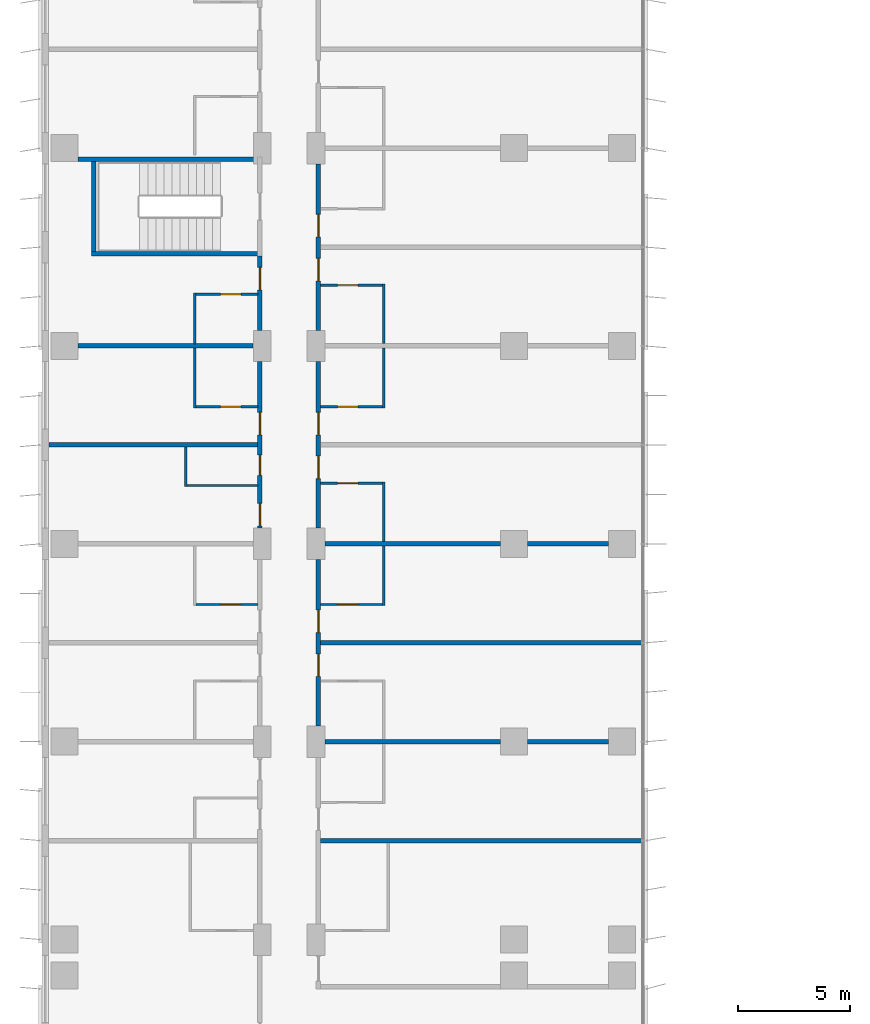
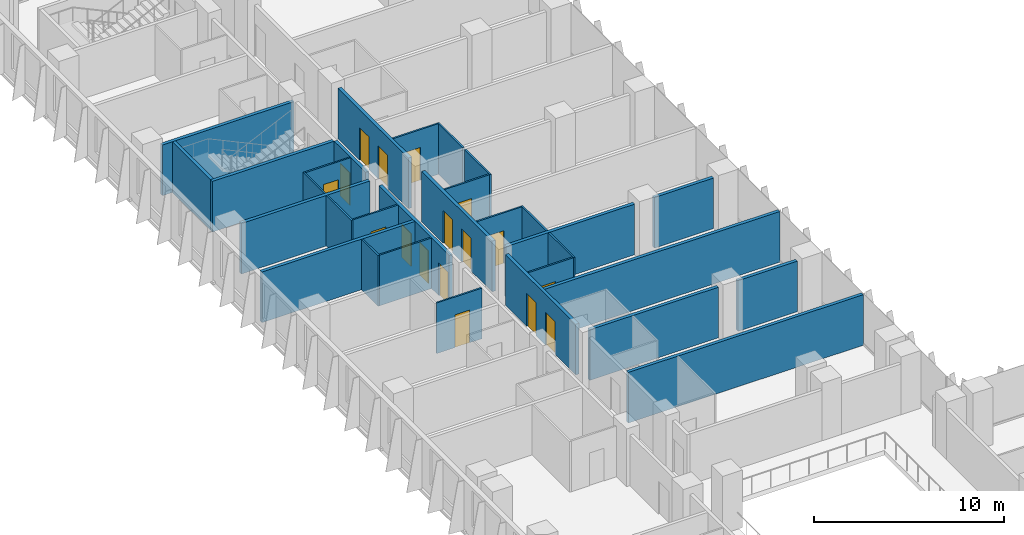
# One storey, part 16 of 22: 31 walls, 17 doors, 17 openings.
"""IFC4 building model written with IfcOpenShell, lengths in metres."""

from ifc_helpers import new_model, si_unit, direction, frame, frame_2d, origin, place, context, subcontext, project, spatial, rectangle, extrude, material, layer, layer_set, type_object, element, fill, save


model = new_model("IFC4")

# Units and contexts
model_context = context("Model", 3, precision=1e-05, world=origin(), true_north=direction((0.0, 1.0)))
body_context = subcontext(model_context, "Body", "Model", "MODEL_VIEW")
ifc_project = project(units=[si_unit("LENGTHUNIT", "METRE"), si_unit("AREAUNIT", "SQUARE_METRE"), si_unit("VOLUMEUNIT", "CUBIC_METRE"), si_unit("PLANEANGLEUNIT", "RADIAN"), si_unit("MASSUNIT", "GRAM", prefix="KILO")], contexts=[model_context])

# Site, building, storey
site_placement = place(None, origin())
site = spatial("IfcSite", under=ifc_project, at=site_placement, CompositionType="ELEMENT")
building_placement = place(site_placement, origin())
building = spatial("IfcBuilding", under=site, at=building_placement, Name="Kemantara Hotel Tower", CompositionType="ELEMENT")
storey_placement = place(building_placement, frame((0.0, 0.0, 129.60009765625)))
storey = spatial("IfcBuildingStorey", under=building, at=storey_placement, Name="L31", CompositionType="ELEMENT", Elevation=129.60009765625)

# Wall, openings, doors
ifc_material_1 = material(Name="Gypsum board partition, steel studs and mineral wool, 200 mm", Category="steel")
ifc_layer_1 = layer(ifc_material_1, 0.199951171875)
ifc_layer_set_1 = layer_set([ifc_layer_1], Name="Gypsum board partition, steel studs and mineral wool, 200 mm")
wall_type_1 = type_object("IfcWallType", Name="CORRIDOR WALL 200", PredefinedType="PARTITIONING", material=ifc_layer_set_1)
wall_1_placement = place(storey_placement, frame((9.699951171875, 45.7001953125, 0.0), z_axis=(0.0, 0.0, 1.0), x_axis=(0.0, 1.0, 0.0)))
wall_1 = element("IfcWall", 1, at=wall_1_placement, inside=storey, type_object=wall_type_1, Name="CORRIDOR WALL 200 020", PredefinedType="PARTITIONING", context=body_context, shape_type="SweptSolid", body=[
    extrude(rectangle(XDim=7.399658203125, YDim=0.199951171875, at=frame_2d((3.69970703125, 0.0))), origin(), (0.0, 0.0, 1.0), 3.25),
])
opening_1_placement = place(wall_1_placement, frame((0.099853515625, 0.0, 0.0)))
opening_1 = element("IfcOpeningElement", 2, at=opening_1_placement, cuts=wall_1, Name="Opening F14-031", PredefinedType="OPENING", context=body_context, shape_type="SweptSolid", body=[
    extrude(rectangle(XDim=1.0, YDim=2.10009765625, at=frame_2d((0.5, 1.050048828125))), frame((0.0, 0.10986328125, 0.0), z_axis=(0.0, -1.0, 0.0), x_axis=(1.0, 0.0, 0.0)), (0.0, 0.0, 1.0), 0.219970703125),
])
opening_2_placement = place(wall_1_placement, frame((2.349853515625, 0.0, 0.0)))
opening_2 = element("IfcOpeningElement", 3, at=opening_2_placement, cuts=wall_1, Name="Opening F14-032", PredefinedType="OPENING", context=body_context, shape_type="SweptSolid", body=[
    extrude(rectangle(XDim=0.89990234375, YDim=2.10009765625, at=frame_2d((0.449951171875, 1.050048828125))), frame((0.0, 0.10986328125, 0.0), z_axis=(0.0, -1.0, 0.0), x_axis=(1.0, 0.0, 0.0)), (0.0, 0.0, 1.0), 0.219970703125),
])
opening_3_placement = place(wall_1_placement, frame((4.14990234375, 0.0, 0.0)))
opening_3 = element("IfcOpeningElement", 4, at=opening_3_placement, cuts=wall_1, Name="Opening F14-033", PredefinedType="OPENING", context=body_context, shape_type="SweptSolid", body=[
    extrude(rectangle(XDim=1.0, YDim=2.10009765625, at=frame_2d((0.5, 1.050048828125))), frame((0.0, 0.10986328125, 0.0), z_axis=(0.0, -1.0, 0.0), x_axis=(1.0, 0.0, 0.0)), (0.0, 0.0, 1.0), 0.219970703125),
])
ifc_material_2 = material(Name="Hardwood veneer door leaf with steel frame", Category="steel")
door_type_1 = type_object("IfcDoorType", Name="AMENITY ROOM DOOR 1000 X 2100 FD30S", OperationType="NOTDEFINED", PredefinedType="DOOR", material=ifc_material_2)
door_1_placement = place(opening_1_placement, origin())
door_1 = element("IfcDoor", 5, at=door_1_placement, inside=storey, type_object=door_type_1, Name="AMENITY ROOM DOOR F14-031", OperationType="SINGLE_SWING_LEFT", OverallHeight=2.10009765625, OverallWidth=1.0, PredefinedType="DOOR", context=body_context, shape_type="SweptSolid", body=[
    extrude(rectangle(XDim=1.0, YDim=2.10009765625, at=frame_2d((0.5, 1.050048828125))), frame((0.0, 0.02490234375, 0.0), z_axis=(0.0, -1.0, 0.0), x_axis=(1.0, 0.0, 0.0)), (0.0, 0.0, 1.0), 0.050048828125),
])
fill(opening_1, door_1)
door_type_2 = type_object("IfcDoorType", Name="GUEST ROOM DOOR 1000 X 2100 FD30S", OperationType="NOTDEFINED", PredefinedType="DOOR", material=ifc_material_2)
door_2_placement = place(opening_3_placement, origin())
door_2 = element("IfcDoor", 6, at=door_2_placement, inside=storey, type_object=door_type_2, Name="GUEST ROOM DOOR F14-033", OperationType="SINGLE_SWING_LEFT", OverallHeight=2.10009765625, OverallWidth=1.0, PredefinedType="DOOR", context=body_context, shape_type="SweptSolid", body=[
    extrude(rectangle(XDim=1.0, YDim=2.10009765625, at=frame_2d((0.5, 1.050048828125))), frame((0.0, 0.02490234375, 0.0), z_axis=(0.0, -1.0, 0.0), x_axis=(1.0, 0.0, 0.0)), (0.0, 0.0, 1.0), 0.050048828125),
])
fill(opening_3, door_2)
door_type_3 = type_object("IfcDoorType", Name="GUEST ROOM DOOR 900 X 2100 FD30S", OperationType="NOTDEFINED", PredefinedType="DOOR", material=ifc_material_2)
door_3_placement = place(opening_2_placement, origin())
door_3 = element("IfcDoor", 7, at=door_3_placement, inside=storey, type_object=door_type_3, Name="GUEST ROOM DOOR F14-032", OperationType="SINGLE_SWING_RIGHT", OverallHeight=2.10009765625, OverallWidth=0.89990234375, PredefinedType="DOOR", context=body_context, shape_type="SweptSolid", body=[
    extrude(rectangle(XDim=0.89990234375, YDim=2.10009765625, at=frame_2d((0.449951171875, 1.050048828125))), frame((0.0, 0.02490234375, 0.0), z_axis=(0.0, -1.0, 0.0), x_axis=(1.0, 0.0, 0.0)), (0.0, 0.0, 1.0), 0.050048828125),
])
fill(opening_2, door_3)

# Wall, opening, door
wall_2_placement = place(storey_placement, frame((9.699951171875, 54.5, 0.0), z_axis=(0.0, 0.0, 1.0), x_axis=(0.0, 1.0, 0.0)))
wall_2 = element("IfcWall", 8, at=wall_2_placement, inside=storey, type_object=wall_type_1, Name="CORRIDOR WALL 200 021", PredefinedType="PARTITIONING", context=body_context, shape_type="SweptSolid", body=[
    extrude(rectangle(XDim=3.300048828125, YDim=0.199951171875, at=frame_2d((1.64990234375, 0.0))), origin(), (0.0, 0.0, 1.0), 3.25),
])
opening_4_placement = place(wall_2_placement, frame((1.7998046875, 0.0, 0.0)))
opening_4 = element("IfcOpeningElement", 9, at=opening_4_placement, cuts=wall_2, Name="Opening F14-035", PredefinedType="OPENING", context=body_context, shape_type="SweptSolid", body=[
    extrude(rectangle(XDim=1.0, YDim=2.10009765625, at=frame_2d((0.5, 1.050048828125))), frame((0.0, 0.10986328125, 0.0), z_axis=(0.0, -1.0, 0.0), x_axis=(1.0, 0.0, 0.0)), (0.0, 0.0, 1.0), 0.219970703125),
])
door_4_placement = place(opening_4_placement, origin())
door_4 = element("IfcDoor", 10, at=door_4_placement, inside=storey, type_object=door_type_2, Name="GUEST ROOM DOOR F14-035", OperationType="SINGLE_SWING_RIGHT", OverallHeight=2.10009765625, OverallWidth=1.0, PredefinedType="DOOR", context=body_context, shape_type="SweptSolid", body=[
    extrude(rectangle(XDim=1.0, YDim=2.10009765625, at=frame_2d((0.5, 1.050048828125))), frame((0.0, 0.02490234375, 0.0), z_axis=(0.0, -1.0, 0.0), x_axis=(1.0, 0.0, 0.0)), (0.0, 0.0, 1.0), 0.050048828125),
])
fill(opening_4, door_4)

# Wall, openings, doors
wall_3_placement = place(storey_placement, frame((12.300048828125, 44.2998046875, 0.0), z_axis=(0.0, 0.0, 1.0), x_axis=(0.0, -1.0, 0.0)))
wall_3 = element("IfcWall", 11, at=wall_3_placement, inside=storey, type_object=wall_type_1, Name="CORRIDOR WALL 200 045", PredefinedType="PARTITIONING", context=body_context, shape_type="SweptSolid", body=[
    extrude(rectangle(XDim=7.399658203125, YDim=0.199951171875, at=frame_2d((3.69970703125, 0.0))), origin(), (0.0, 0.0, 1.0), 3.25),
])
opening_5_placement = place(wall_3_placement, frame((4.199951171875, 0.0, 0.0)))
opening_5 = element("IfcOpeningElement", 12, at=opening_5_placement, cuts=wall_3, Name="Opening F14-047", PredefinedType="OPENING", context=body_context, shape_type="SweptSolid", body=[
    extrude(rectangle(XDim=1.0, YDim=2.10009765625, at=frame_2d((0.5, 1.050048828125))), frame((0.0, 0.10986328125, 0.0), z_axis=(0.0, -1.0, 0.0), x_axis=(1.0, 0.0, 0.0)), (0.0, 0.0, 1.0), 0.219970703125),
])
opening_6_placement = place(wall_3_placement, frame((2.25, 0.0, 0.0)))
opening_6 = element("IfcOpeningElement", 13, at=opening_6_placement, cuts=wall_3, Name="Opening F14-049", PredefinedType="OPENING", context=body_context, shape_type="SweptSolid", body=[
    extrude(rectangle(XDim=1.0, YDim=2.10009765625, at=frame_2d((0.5, 1.050048828125))), frame((0.0, 0.10986328125, 0.0), z_axis=(0.0, -1.0, 0.0), x_axis=(1.0, 0.0, 0.0)), (0.0, 0.0, 1.0), 0.219970703125),
])
door_5_placement = place(opening_5_placement, origin())
door_5 = element("IfcDoor", 14, at=door_5_placement, inside=storey, type_object=door_type_2, Name="GUEST ROOM DOOR F14-047", OperationType="SINGLE_SWING_LEFT", OverallHeight=2.10009765625, OverallWidth=1.0, PredefinedType="DOOR", context=body_context, shape_type="SweptSolid", body=[
    extrude(rectangle(XDim=1.0, YDim=2.10009765625, at=frame_2d((0.5, 1.050048828125))), frame((0.0, 0.02490234375, 0.0), z_axis=(0.0, -1.0, 0.0), x_axis=(1.0, 0.0, 0.0)), (0.0, 0.0, 1.0), 0.050048828125),
])
fill(opening_5, door_5)
door_6_placement = place(opening_6_placement, origin())
door_6 = element("IfcDoor", 15, at=door_6_placement, inside=storey, type_object=door_type_2, Name="GUEST ROOM DOOR F14-049", OperationType="SINGLE_SWING_RIGHT", OverallHeight=2.10009765625, OverallWidth=1.0, PredefinedType="DOOR", context=body_context, shape_type="SweptSolid", body=[
    extrude(rectangle(XDim=1.0, YDim=2.10009765625, at=frame_2d((0.5, 1.050048828125))), frame((0.0, 0.02490234375, 0.0), z_axis=(0.0, -1.0, 0.0), x_axis=(1.0, 0.0, 0.0)), (0.0, 0.0, 1.0), 0.050048828125),
])
fill(opening_6, door_6)

wall_4_placement = place(storey_placement, frame((12.300048828125, 53.099853515625, 0.0), z_axis=(0.0, 0.0, 1.0), x_axis=(0.0, -1.0, 0.0)))
wall_4 = element("IfcWall", 16, at=wall_4_placement, inside=storey, type_object=wall_type_1, Name="CORRIDOR WALL 200 046", PredefinedType="PARTITIONING", context=body_context, shape_type="SweptSolid", body=[
    extrude(rectangle(XDim=7.399658203125, YDim=0.199951171875, at=frame_2d((3.69970703125, 0.0))), origin(), (0.0, 0.0, 1.0), 3.25),
])
opening_7_placement = place(wall_4_placement, frame((4.199951171875, 0.0, 0.0)))
opening_7 = element("IfcOpeningElement", 17, at=opening_7_placement, cuts=wall_4, Name="Opening F14-051", PredefinedType="OPENING", context=body_context, shape_type="SweptSolid", body=[
    extrude(rectangle(XDim=1.0, YDim=2.10009765625, at=frame_2d((0.5, 1.050048828125))), frame((0.0, 0.10986328125, 0.0), z_axis=(0.0, -1.0, 0.0), x_axis=(1.0, 0.0, 0.0)), (0.0, 0.0, 1.0), 0.219970703125),
])
opening_8_placement = place(wall_4_placement, frame((2.25, 0.0, 0.0)))
opening_8 = element("IfcOpeningElement", 18, at=opening_8_placement, cuts=wall_4, Name="Opening F14-053", PredefinedType="OPENING", context=body_context, shape_type="SweptSolid", body=[
    extrude(rectangle(XDim=1.0, YDim=2.10009765625, at=frame_2d((0.5, 1.050048828125))), frame((0.0, 0.10986328125, 0.0), z_axis=(0.0, -1.0, 0.0), x_axis=(1.0, 0.0, 0.0)), (0.0, 0.0, 1.0), 0.219970703125),
])
door_7_placement = place(opening_7_placement, origin())
door_7 = element("IfcDoor", 19, at=door_7_placement, inside=storey, type_object=door_type_2, Name="GUEST ROOM DOOR F14-051", OperationType="SINGLE_SWING_LEFT", OverallHeight=2.10009765625, OverallWidth=1.0, PredefinedType="DOOR", context=body_context, shape_type="SweptSolid", body=[
    extrude(rectangle(XDim=1.0, YDim=2.10009765625, at=frame_2d((0.5, 1.050048828125))), frame((0.0, 0.02490234375, 0.0), z_axis=(0.0, -1.0, 0.0), x_axis=(1.0, 0.0, 0.0)), (0.0, 0.0, 1.0), 0.050048828125),
])
fill(opening_7, door_7)
door_8_placement = place(opening_8_placement, origin())
door_8 = element("IfcDoor", 20, at=door_8_placement, inside=storey, type_object=door_type_2, Name="GUEST ROOM DOOR F14-053", OperationType="SINGLE_SWING_RIGHT", OverallHeight=2.10009765625, OverallWidth=1.0, PredefinedType="DOOR", context=body_context, shape_type="SweptSolid", body=[
    extrude(rectangle(XDim=1.0, YDim=2.10009765625, at=frame_2d((0.5, 1.050048828125))), frame((0.0, 0.02490234375, 0.0), z_axis=(0.0, -1.0, 0.0), x_axis=(1.0, 0.0, 0.0)), (0.0, 0.0, 1.0), 0.050048828125),
])
fill(opening_8, door_8)

wall_5_placement = place(storey_placement, frame((12.300048828125, 61.89990234375, 0.0), z_axis=(0.0, 0.0, 1.0), x_axis=(0.0, -1.0, 0.0)))
wall_5 = element("IfcWall", 21, at=wall_5_placement, inside=storey, type_object=wall_type_1, Name="CORRIDOR WALL 200 047", PredefinedType="PARTITIONING", context=body_context, shape_type="SweptSolid", body=[
    extrude(rectangle(XDim=7.39990234375, YDim=0.199951171875, at=frame_2d((3.699951171875, 0.0))), origin(), (0.0, 0.0, 1.0), 3.25),
])
opening_9_placement = place(wall_5_placement, frame((4.199951171875, 0.0, 0.0)))
opening_9 = element("IfcOpeningElement", 22, at=opening_9_placement, cuts=wall_5, Name="Opening F14-055", PredefinedType="OPENING", context=body_context, shape_type="SweptSolid", body=[
    extrude(rectangle(XDim=1.0, YDim=2.10009765625, at=frame_2d((0.5, 1.050048828125))), frame((0.0, 0.10986328125, 0.0), z_axis=(0.0, -1.0, 0.0), x_axis=(1.0, 0.0, 0.0)), (0.0, 0.0, 1.0), 0.219970703125),
])
opening_10_placement = place(wall_5_placement, frame((2.25, 0.0, 0.0)))
opening_10 = element("IfcOpeningElement", 23, at=opening_10_placement, cuts=wall_5, Name="Opening F14-057", PredefinedType="OPENING", context=body_context, shape_type="SweptSolid", body=[
    extrude(rectangle(XDim=1.0, YDim=2.10009765625, at=frame_2d((0.5, 1.050048828125))), frame((0.0, 0.10986328125, 0.0), z_axis=(0.0, -1.0, 0.0), x_axis=(1.0, 0.0, 0.0)), (0.0, 0.0, 1.0), 0.219970703125),
])
door_9_placement = place(opening_9_placement, origin())
door_9 = element("IfcDoor", 24, at=door_9_placement, inside=storey, type_object=door_type_2, Name="GUEST ROOM DOOR F14-055", OperationType="SINGLE_SWING_LEFT", OverallHeight=2.10009765625, OverallWidth=1.0, PredefinedType="DOOR", context=body_context, shape_type="SweptSolid", body=[
    extrude(rectangle(XDim=1.0, YDim=2.10009765625, at=frame_2d((0.5, 1.050048828125))), frame((0.0, 0.02490234375, 0.0), z_axis=(0.0, -1.0, 0.0), x_axis=(1.0, 0.0, 0.0)), (0.0, 0.0, 1.0), 0.050048828125),
])
fill(opening_9, door_9)
door_10_placement = place(opening_10_placement, origin())
door_10 = element("IfcDoor", 25, at=door_10_placement, inside=storey, type_object=door_type_2, Name="GUEST ROOM DOOR F14-057", OperationType="SINGLE_SWING_RIGHT", OverallHeight=2.10009765625, OverallWidth=1.0, PredefinedType="DOOR", context=body_context, shape_type="SweptSolid", body=[
    extrude(rectangle(XDim=1.0, YDim=2.10009765625, at=frame_2d((0.5, 1.050048828125))), frame((0.0, 0.02490234375, 0.0), z_axis=(0.0, -1.0, 0.0), x_axis=(1.0, 0.0, 0.0)), (0.0, 0.0, 1.0), 0.050048828125),
])
fill(opening_10, door_10)

# Walls
ifc_material_3 = material(Name="Concrete fc 40 MPa", Category="concrete")
ifc_layer_2 = layer(ifc_material_3, 0.199951171875)
ifc_layer_set_2 = layer_set([ifc_layer_2], Name="Concrete fc 40 MPa")
wall_type_2 = type_object("IfcWallType", Name="Concrete stair wall 200 mm", PredefinedType="SHEAR", material=ifc_layer_set_2)
wall_6_placement = place(storey_placement, frame((1.60009765625, 62.10009765625, 0.0), z_axis=(0.0, 0.0, 1.0), x_axis=(1.0, 0.0, 0.0)))
element("IfcWall", 26, at=wall_6_placement, inside=storey, type_object=wall_type_2, Name="Stair ST4 enclosure wall N", PredefinedType="SHEAR", context=body_context, shape_type="SweptSolid", body=[
    extrude(rectangle(XDim=8.0, YDim=0.199951171875, at=frame_2d((4.0, 0.0))), origin(), (0.0, 0.0, 1.0), 3.25),
])
wall_7_placement = place(storey_placement, frame((2.199951171875, 57.89990234375, 0.0), z_axis=(0.0, 0.0, 1.0), x_axis=(1.0, 0.0, 0.0)))
element("IfcWall", 27, at=wall_7_placement, inside=storey, type_object=wall_type_2, Name="Stair ST4 enclosure wall S", PredefinedType="SHEAR", context=body_context, shape_type="SweptSolid", body=[
    extrude(rectangle(XDim=7.400146484375, YDim=0.199951171875, at=frame_2d((3.7001953125, 0.0))), origin(), (0.0, 0.0, 1.0), 3.25),
])
wall_8_placement = place(storey_placement, frame((2.300048828125, 58.0, 0.0), z_axis=(0.0, 0.0, 1.0), x_axis=(0.0, 1.0, 0.0)))
element("IfcWall", 28, at=wall_8_placement, inside=storey, type_object=wall_type_2, Name="Stair ST4 enclosure wall W", PredefinedType="SHEAR", context=body_context, shape_type="SweptSolid", body=[
    extrude(rectangle(XDim=4.0, YDim=0.199951171875, at=frame_2d((2.0, 0.0))), origin(), (0.0, 0.0, 1.0), 3.25),
])
ifc_layer_3 = layer(ifc_material_1, 0.199951171875)
ifc_layer_set_3 = layer_set([ifc_layer_3], Name="Gypsum board partition, steel studs and mineral wool, 200 mm")
wall_type_3 = type_object("IfcWallType", Name="GUEST ROOM PARTY WALL 200", PredefinedType="PARTITIONING", material=ifc_layer_set_3)
wall_9_placement = place(storey_placement, frame((12.39990234375, 31.800048828125, 0.0), z_axis=(0.0, 0.0, 1.0), x_axis=(1.0, 0.0, 0.0)))
element("IfcWall", 29, at=wall_9_placement, inside=storey, type_object=wall_type_3, Name="GUEST ROOM PARTY WALL 200 027", PredefinedType="PARTITIONING", context=body_context, shape_type="SweptSolid", body=[
    extrude(rectangle(XDim=14.27001953125, YDim=0.199951171875, at=frame_2d((7.135009765625, 0.0))), origin(), (0.0, 0.0, 1.0), 3.25),
])
wall_10_placement = place(storey_placement, frame((12.60009765625, 36.199951171875, 0.0), z_axis=(0.0, 0.0, 1.0), x_axis=(1.0, 0.0, 0.0)))
element("IfcWall", 30, at=wall_10_placement, inside=storey, type_object=wall_type_3, Name="GUEST ROOM PARTY WALL 200 029", PredefinedType="PARTITIONING", context=body_context, shape_type="SweptSolid", body=[
    extrude(rectangle(XDim=7.7998046875, YDim=0.199951171875, at=frame_2d((3.89990234375, 0.0))), origin(), (0.0, 0.0, 1.0), 3.25),
])
wall_11_placement = place(storey_placement, frame((21.60009765625, 36.199951171875, 0.0), z_axis=(0.0, 0.0, 1.0), x_axis=(1.0, 0.0, 0.0)))
element("IfcWall", 31, at=wall_11_placement, inside=storey, type_object=wall_type_3, Name="GUEST ROOM PARTY WALL 200 030", PredefinedType="PARTITIONING", context=body_context, shape_type="SweptSolid", body=[
    extrude(rectangle(XDim=3.599853515625, YDim=0.199951171875, at=frame_2d((1.7998046875, 0.0))), origin(), (0.0, 0.0, 1.0), 3.25),
])
wall_12_placement = place(storey_placement, frame((12.39990234375, 40.60009765625, 0.0), z_axis=(0.0, 0.0, 1.0), x_axis=(1.0, 0.0, 0.0)))
element("IfcWall", 32, at=wall_12_placement, inside=storey, type_object=wall_type_3, Name="GUEST ROOM PARTY WALL 200 032", PredefinedType="PARTITIONING", context=body_context, shape_type="SweptSolid", body=[
    extrude(rectangle(XDim=14.27001953125, YDim=0.199951171875, at=frame_2d((7.135009765625, 0.0))), origin(), (0.0, 0.0, 1.0), 3.25),
])
wall_13_placement = place(storey_placement, frame((12.60009765625, 45.0, 0.0), z_axis=(0.0, 0.0, 1.0), x_axis=(1.0, 0.0, 0.0)))
element("IfcWall", 33, at=wall_13_placement, inside=storey, type_object=wall_type_3, Name="GUEST ROOM PARTY WALL 200 034", PredefinedType="PARTITIONING", context=body_context, shape_type="SweptSolid", body=[
    extrude(rectangle(XDim=7.7998046875, YDim=0.199951171875, at=frame_2d((3.89990234375, 0.0))), origin(), (0.0, 0.0, 1.0), 3.25),
])
wall_14_placement = place(storey_placement, frame((21.60009765625, 45.0, 0.0), z_axis=(0.0, 0.0, 1.0), x_axis=(1.0, 0.0, 0.0)))
element("IfcWall", 34, at=wall_14_placement, inside=storey, type_object=wall_type_3, Name="GUEST ROOM PARTY WALL 200 035", PredefinedType="PARTITIONING", context=body_context, shape_type="SweptSolid", body=[
    extrude(rectangle(XDim=3.599853515625, YDim=0.199951171875, at=frame_2d((1.7998046875, 0.0))), origin(), (0.0, 0.0, 1.0), 3.25),
])
wall_15_placement = place(storey_placement, frame((0.31005859375, 49.39990234375, 0.0), z_axis=(0.0, 0.0, 1.0), x_axis=(1.0, 0.0, 0.0)))
element("IfcWall", 35, at=wall_15_placement, inside=storey, type_object=wall_type_3, Name="GUEST ROOM PARTY WALL 200 036", PredefinedType="PARTITIONING", context=body_context, shape_type="SweptSolid", body=[
    extrude(rectangle(XDim=9.2900390625, YDim=0.199951171875, at=frame_2d((4.64501953125, 0.0))), origin(), (0.0, 0.0, 1.0), 3.25),
])
wall_16_placement = place(storey_placement, frame((1.60009765625, 53.800048828125, 0.0), z_axis=(0.0, 0.0, 1.0), x_axis=(1.0, 0.0, 0.0)))
element("IfcWall", 36, at=wall_16_placement, inside=storey, type_object=wall_type_3, Name="GUEST ROOM PARTY WALL 200 038", PredefinedType="PARTITIONING", context=body_context, shape_type="SweptSolid", body=[
    extrude(rectangle(XDim=7.7998046875, YDim=0.199951171875, at=frame_2d((3.89990234375, 0.0))), origin(), (0.0, 0.0, 1.0), 3.25),
])
ifc_material_4 = material(Name="Gypsum board partition on steel studs, 100 mm", Category="steel")
ifc_layer_4 = layer(ifc_material_4, 0.10009765625)
ifc_layer_set_4 = layer_set([ifc_layer_4], Name="Gypsum board partition on steel studs, 100 mm")
wall_type_4 = type_object("IfcWallType", Name="ROOM PARTITION 100", PredefinedType="PARTITIONING", material=ifc_layer_set_4)
wall_17_placement = place(storey_placement, frame((6.800048828125, 51.050048828125, 0.0), z_axis=(0.0, 0.0, 1.0), x_axis=(0.0, 1.0, 0.0)))
element("IfcWall", 37, at=wall_17_placement, inside=storey, type_object=wall_type_4, Name="ROOM PARTITION 100 079", PredefinedType="PARTITIONING", context=body_context, shape_type="SweptSolid", body=[
    extrude(rectangle(XDim=2.64990234375, YDim=0.10009765625, at=frame_2d((1.324951171875, 0.0))), origin(), (0.0, 0.0, 1.0), 3.25),
])
wall_18_placement = place(storey_placement, frame((6.800048828125, 53.89990234375, 0.0), z_axis=(0.0, 0.0, 1.0), x_axis=(0.0, 1.0, 0.0)))
element("IfcWall", 38, at=wall_18_placement, inside=storey, type_object=wall_type_4, Name="ROOM PARTITION 100 080", PredefinedType="PARTITIONING", context=body_context, shape_type="SweptSolid", body=[
    extrude(rectangle(XDim=2.25, YDim=0.10009765625, at=frame_2d((1.125, 0.0))), origin(), (0.0, 0.0, 1.0), 3.25),
])

# Wall, opening, door
wall_19_placement = place(storey_placement, frame((6.85009765625, 42.300048828125, 0.0), z_axis=(0.0, 0.0, 1.0), x_axis=(1.0, 0.0, 0.0)))
wall_19 = element("IfcWall", 39, at=wall_19_placement, inside=storey, type_object=wall_type_4, Name="ROOM PARTITION 100 090", PredefinedType="PARTITIONING", context=body_context, shape_type="SweptSolid", body=[
    extrude(rectangle(XDim=2.75, YDim=0.10009765625, at=frame_2d((1.375, 0.0))), origin(), (0.0, 0.0, 1.0), 3.25),
])
opening_11_placement = place(wall_19_placement, frame((1.10009765625, 0.0, 0.0)))
opening_11 = element("IfcOpeningElement", 40, at=opening_11_placement, cuts=wall_19, Name="Opening F14-030", PredefinedType="OPENING", context=body_context, shape_type="SweptSolid", body=[
    extrude(rectangle(XDim=0.89990234375, YDim=2.10009765625, at=frame_2d((0.449951171875, 1.050048828125))), frame((0.0, 0.06005859375, 0.0), z_axis=(0.0, -1.0, 0.0), x_axis=(1.0, 0.0, 0.0)), (0.0, 0.0, 1.0), 0.1201171875),
])
door_type_4 = type_object("IfcDoorType", Name="BATHROOM DOOR 900 X 2100", OperationType="NOTDEFINED", PredefinedType="DOOR", material=ifc_material_2)
door_11_placement = place(opening_11_placement, origin())
door_11 = element("IfcDoor", 41, at=door_11_placement, inside=storey, type_object=door_type_4, Name="BATHROOM DOOR F14-030", OperationType="SINGLE_SWING_RIGHT", OverallHeight=2.10009765625, OverallWidth=0.89990234375, PredefinedType="DOOR", context=body_context, shape_type="SweptSolid", body=[
    extrude(rectangle(XDim=0.89990234375, YDim=2.10009765625, at=frame_2d((0.449951171875, 1.050048828125))), frame((0.0, 0.02490234375, 0.0), z_axis=(0.0, -1.0, 0.0), x_axis=(1.0, 0.0, 0.0)), (0.0, 0.0, 1.0), 0.050048828125),
])
fill(opening_11, door_11)

wall_20_placement = place(storey_placement, frame((12.39990234375, 42.300048828125, 0.0), z_axis=(0.0, 0.0, 1.0), x_axis=(1.0, 0.0, 0.0)))
wall_20 = element("IfcWall", 42, at=wall_20_placement, inside=storey, type_object=wall_type_4, Name="ROOM PARTITION 100 091", PredefinedType="PARTITIONING", context=body_context, shape_type="SweptSolid", body=[
    extrude(rectangle(XDim=2.75, YDim=0.10009765625, at=frame_2d((1.375, 0.0))), origin(), (0.0, 0.0, 1.0), 3.25),
])
opening_12_placement = place(wall_20_placement, frame((0.75, 0.0, 0.0)))
opening_12 = element("IfcOpeningElement", 43, at=opening_12_placement, cuts=wall_20, Name="Opening F14-050", PredefinedType="OPENING", context=body_context, shape_type="SweptSolid", body=[
    extrude(rectangle(XDim=0.89990234375, YDim=2.10009765625, at=frame_2d((0.449951171875, 1.050048828125))), frame((0.0, 0.06005859375, 0.0), z_axis=(0.0, -1.0, 0.0), x_axis=(1.0, 0.0, 0.0)), (0.0, 0.0, 1.0), 0.1201171875),
])
door_12_placement = place(opening_12_placement, origin())
door_12 = element("IfcDoor", 44, at=door_12_placement, inside=storey, type_object=door_type_4, Name="BATHROOM DOOR F14-050", OperationType="SINGLE_SWING_LEFT", OverallHeight=2.10009765625, OverallWidth=0.89990234375, PredefinedType="DOOR", context=body_context, shape_type="SweptSolid", body=[
    extrude(rectangle(XDim=0.89990234375, YDim=2.10009765625, at=frame_2d((0.449951171875, 1.050048828125))), frame((0.0, 0.02490234375, 0.0), z_axis=(0.0, -1.0, 0.0), x_axis=(1.0, 0.0, 0.0)), (0.0, 0.0, 1.0), 0.050048828125),
])
fill(opening_12, door_12)

# Walls
wall_21_placement = place(storey_placement, frame((6.39990234375, 47.550048828125, 0.0), z_axis=(0.0, 0.0, 1.0), x_axis=(0.0, 1.0, 0.0)))
element("IfcWall", 45, at=wall_21_placement, inside=storey, type_object=wall_type_4, Name="ROOM PARTITION 100 092", PredefinedType="PARTITIONING", context=body_context, shape_type="SweptSolid", body=[
    extrude(rectangle(XDim=1.75, YDim=0.10009765625, at=frame_2d((0.875, 0.0))), origin(), (0.0, 0.0, 1.0), 3.25),
])
wall_22_placement = place(storey_placement, frame((6.449951171875, 47.60009765625, 0.0), z_axis=(0.0, 0.0, 1.0), x_axis=(1.0, 0.0, 0.0)))
element("IfcWall", 46, at=wall_22_placement, inside=storey, type_object=wall_type_4, Name="ROOM PARTITION 100 093", PredefinedType="PARTITIONING", context=body_context, shape_type="SweptSolid", body=[
    extrude(rectangle(XDim=3.150146484375, YDim=0.10009765625, at=frame_2d((1.5751953125, 0.0))), origin(), (0.0, 0.0, 1.0), 3.25),
])

# Wall, opening, door
wall_23_placement = place(storey_placement, frame((6.85009765625, 51.10009765625, 0.0), z_axis=(0.0, 0.0, 1.0), x_axis=(1.0, 0.0, 0.0)))
wall_23 = element("IfcWall", 47, at=wall_23_placement, inside=storey, type_object=wall_type_4, Name="ROOM PARTITION 100 094", PredefinedType="PARTITIONING", context=body_context, shape_type="SweptSolid", body=[
    extrude(rectangle(XDim=2.75, YDim=0.10009765625, at=frame_2d((1.375, 0.0))), origin(), (0.0, 0.0, 1.0), 3.25),
])
opening_13_placement = place(wall_23_placement, frame((1.10009765625, 0.0, 0.0)))
opening_13 = element("IfcOpeningElement", 48, at=opening_13_placement, cuts=wall_23, Name="Opening F14-034", PredefinedType="OPENING", context=body_context, shape_type="SweptSolid", body=[
    extrude(rectangle(XDim=0.89990234375, YDim=2.10009765625, at=frame_2d((0.449951171875, 1.050048828125))), frame((0.0, 0.06005859375, 0.0), z_axis=(0.0, -1.0, 0.0), x_axis=(1.0, 0.0, 0.0)), (0.0, 0.0, 1.0), 0.1201171875),
])
door_13_placement = place(opening_13_placement, origin())
door_13 = element("IfcDoor", 49, at=door_13_placement, inside=storey, type_object=door_type_4, Name="BATHROOM DOOR F14-034", OperationType="SINGLE_SWING_RIGHT", OverallHeight=2.10009765625, OverallWidth=0.89990234375, PredefinedType="DOOR", context=body_context, shape_type="SweptSolid", body=[
    extrude(rectangle(XDim=0.89990234375, YDim=2.10009765625, at=frame_2d((0.449951171875, 1.050048828125))), frame((0.0, 0.02490234375, 0.0), z_axis=(0.0, -1.0, 0.0), x_axis=(1.0, 0.0, 0.0)), (0.0, 0.0, 1.0), 0.050048828125),
])
fill(opening_13, door_13)

wall_24_placement = place(storey_placement, frame((12.39990234375, 51.10009765625, 0.0), z_axis=(0.0, 0.0, 1.0), x_axis=(1.0, 0.0, 0.0)))
wall_24 = element("IfcWall", 50, at=wall_24_placement, inside=storey, type_object=wall_type_4, Name="ROOM PARTITION 100 095", PredefinedType="PARTITIONING", context=body_context, shape_type="SweptSolid", body=[
    extrude(rectangle(XDim=2.75, YDim=0.10009765625, at=frame_2d((1.375, 0.0))), origin(), (0.0, 0.0, 1.0), 3.25),
])
opening_14_placement = place(wall_24_placement, frame((0.75, 0.0, 0.0)))
opening_14 = element("IfcOpeningElement", 51, at=opening_14_placement, cuts=wall_24, Name="Opening F14-054", PredefinedType="OPENING", context=body_context, shape_type="SweptSolid", body=[
    extrude(rectangle(XDim=0.89990234375, YDim=2.10009765625, at=frame_2d((0.449951171875, 1.050048828125))), frame((0.0, 0.06005859375, 0.0), z_axis=(0.0, -1.0, 0.0), x_axis=(1.0, 0.0, 0.0)), (0.0, 0.0, 1.0), 0.1201171875),
])
door_14_placement = place(opening_14_placement, origin())
door_14 = element("IfcDoor", 52, at=door_14_placement, inside=storey, type_object=door_type_4, Name="BATHROOM DOOR F14-054", OperationType="SINGLE_SWING_LEFT", OverallHeight=2.10009765625, OverallWidth=0.89990234375, PredefinedType="DOOR", context=body_context, shape_type="SweptSolid", body=[
    extrude(rectangle(XDim=0.89990234375, YDim=2.10009765625, at=frame_2d((0.449951171875, 1.050048828125))), frame((0.0, 0.02490234375, 0.0), z_axis=(0.0, -1.0, 0.0), x_axis=(1.0, 0.0, 0.0)), (0.0, 0.0, 1.0), 0.050048828125),
])
fill(opening_14, door_14)

wall_25_placement = place(storey_placement, frame((9.60009765625, 56.10009765625, 0.0), z_axis=(0.0, 0.0, 1.0), x_axis=(-1.0, 0.0, 0.0)))
wall_25 = element("IfcWall", 53, at=wall_25_placement, inside=storey, type_object=wall_type_4, Name="ROOM PARTITION 100 096", PredefinedType="PARTITIONING", context=body_context, shape_type="SweptSolid", body=[
    extrude(rectangle(XDim=2.75, YDim=0.10009765625, at=frame_2d((1.375, 0.0))), origin(), (0.0, 0.0, 1.0), 3.25),
])
opening_15_placement = place(wall_25_placement, frame((0.75, 0.0, 0.0)))
opening_15 = element("IfcOpeningElement", 54, at=opening_15_placement, cuts=wall_25, Name="Opening F14-036", PredefinedType="OPENING", context=body_context, shape_type="SweptSolid", body=[
    extrude(rectangle(XDim=0.89990234375, YDim=2.10009765625, at=frame_2d((0.449951171875, 1.050048828125))), frame((0.0, 0.06005859375, 0.0), z_axis=(0.0, -1.0, 0.0), x_axis=(1.0, 0.0, 0.0)), (0.0, 0.0, 1.0), 0.1201171875),
])
door_15_placement = place(opening_15_placement, origin())
door_15 = element("IfcDoor", 55, at=door_15_placement, inside=storey, type_object=door_type_4, Name="BATHROOM DOOR F14-036", OperationType="SINGLE_SWING_LEFT", OverallHeight=2.10009765625, OverallWidth=0.89990234375, PredefinedType="DOOR", context=body_context, shape_type="SweptSolid", body=[
    extrude(rectangle(XDim=0.89990234375, YDim=2.10009765625, at=frame_2d((0.449951171875, 1.050048828125))), frame((0.0, 0.02490234375, 0.0), z_axis=(0.0, -1.0, 0.0), x_axis=(1.0, 0.0, 0.0)), (0.0, 0.0, 1.0), 0.050048828125),
])
fill(opening_15, door_15)

# Walls
for number, where, z_axis, x_axis, name in (
    (56, (15.199951171875, 42.25, 0.0), (0.0, 0.0, 1.0), (0.0, 1.0, 0.0), "ROOM PARTITION 100 103"),
    (57, (15.199951171875, 45.10009765625, 0.0), (0.0, 0.0, 1.0), (0.0, 1.0, 0.0), "ROOM PARTITION 100 104"),
    (58, (15.199951171875, 51.050048828125, 0.0), (0.0, 0.0, 1.0), (0.0, 1.0, 0.0), "ROOM PARTITION 100 105"),
):
    element("IfcWall", number, at=place(storey_placement, frame(where, z_axis=z_axis, x_axis=x_axis)), inside=storey, type_object=wall_type_4, Name=name, PredefinedType="PARTITIONING", context=body_context, shape_type="SweptSolid", body=[
        extrude(rectangle(XDim=2.64990234375, YDim=0.10009765625, at=frame_2d((1.324951171875, 0.0))), origin(), (0.0, 0.0, 1.0), 3.25),
    ])
wall_26_placement = place(storey_placement, frame((15.199951171875, 53.89990234375, 0.0), z_axis=(0.0, 0.0, 1.0), x_axis=(0.0, 1.0, 0.0)))
element("IfcWall", 59, at=wall_26_placement, inside=storey, type_object=wall_type_4, Name="ROOM PARTITION 100 106", PredefinedType="PARTITIONING", context=body_context, shape_type="SweptSolid", body=[
    extrude(rectangle(XDim=2.650146484375, YDim=0.10009765625, at=frame_2d((1.3251953125, 0.0))), origin(), (0.0, 0.0, 1.0), 3.25),
])

# Wall, opening, door
wall_27_placement = place(storey_placement, frame((15.14990234375, 47.699951171875, 0.0), z_axis=(0.0, 0.0, 1.0), x_axis=(-1.0, 0.0, 0.0)))
wall_27 = element("IfcWall", 60, at=wall_27_placement, inside=storey, type_object=wall_type_4, Name="ROOM PARTITION 100 110", PredefinedType="PARTITIONING", context=body_context, shape_type="SweptSolid", body=[
    extrude(rectangle(XDim=2.75, YDim=0.10009765625, at=frame_2d((1.375, 0.0))), origin(), (0.0, 0.0, 1.0), 3.25),
])
opening_16_placement = place(wall_27_placement, frame((1.10009765625, 0.0, 0.0)))
opening_16 = element("IfcOpeningElement", 61, at=opening_16_placement, cuts=wall_27, Name="Opening F14-052", PredefinedType="OPENING", context=body_context, shape_type="SweptSolid", body=[
    extrude(rectangle(XDim=0.89990234375, YDim=2.10009765625, at=frame_2d((0.449951171875, 1.050048828125))), frame((0.0, 0.06005859375, 0.0), z_axis=(0.0, -1.0, 0.0), x_axis=(1.0, 0.0, 0.0)), (0.0, 0.0, 1.0), 0.1201171875),
])
door_16_placement = place(opening_16_placement, origin())
door_16 = element("IfcDoor", 62, at=door_16_placement, inside=storey, type_object=door_type_4, Name="BATHROOM DOOR F14-052", OperationType="SINGLE_SWING_RIGHT", OverallHeight=2.10009765625, OverallWidth=0.89990234375, PredefinedType="DOOR", context=body_context, shape_type="SweptSolid", body=[
    extrude(rectangle(XDim=0.89990234375, YDim=2.10009765625, at=frame_2d((0.449951171875, 1.050048828125))), frame((0.0, 0.02490234375, 0.0), z_axis=(0.0, -1.0, 0.0), x_axis=(1.0, 0.0, 0.0)), (0.0, 0.0, 1.0), 0.050048828125),
])
fill(opening_16, door_16)

wall_28_placement = place(storey_placement, frame((15.14990234375, 56.5, 0.0), z_axis=(0.0, 0.0, 1.0), x_axis=(-1.0, 0.0, 0.0)))
wall_28 = element("IfcWall", 63, at=wall_28_placement, inside=storey, type_object=wall_type_4, Name="ROOM PARTITION 100 111", PredefinedType="PARTITIONING", context=body_context, shape_type="SweptSolid", body=[
    extrude(rectangle(XDim=2.75, YDim=0.10009765625, at=frame_2d((1.375, 0.0))), origin(), (0.0, 0.0, 1.0), 3.25),
])
opening_17_placement = place(wall_28_placement, frame((1.10009765625, 0.0, 0.0)))
opening_17 = element("IfcOpeningElement", 64, at=opening_17_placement, cuts=wall_28, Name="Opening F14-056", PredefinedType="OPENING", context=body_context, shape_type="SweptSolid", body=[
    extrude(rectangle(XDim=0.89990234375, YDim=2.10009765625, at=frame_2d((0.449951171875, 1.050048828125))), frame((0.0, 0.06005859375, 0.0), z_axis=(0.0, -1.0, 0.0), x_axis=(1.0, 0.0, 0.0)), (0.0, 0.0, 1.0), 0.1201171875),
])
door_17_placement = place(opening_17_placement, origin())
door_17 = element("IfcDoor", 65, at=door_17_placement, inside=storey, type_object=door_type_4, Name="BATHROOM DOOR F14-056", OperationType="SINGLE_SWING_RIGHT", OverallHeight=2.10009765625, OverallWidth=0.89990234375, PredefinedType="DOOR", context=body_context, shape_type="SweptSolid", body=[
    extrude(rectangle(XDim=0.89990234375, YDim=2.10009765625, at=frame_2d((0.449951171875, 1.050048828125))), frame((0.0, 0.02490234375, 0.0), z_axis=(0.0, -1.0, 0.0), x_axis=(1.0, 0.0, 0.0)), (0.0, 0.0, 1.0), 0.050048828125),
])
fill(opening_17, door_17)

save(model, "model.ifc")
